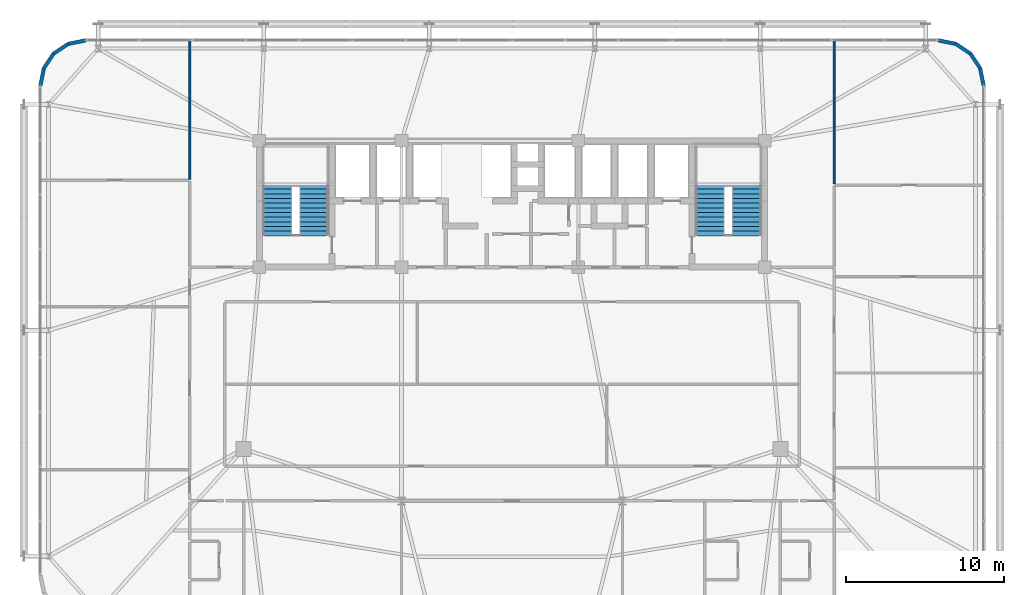
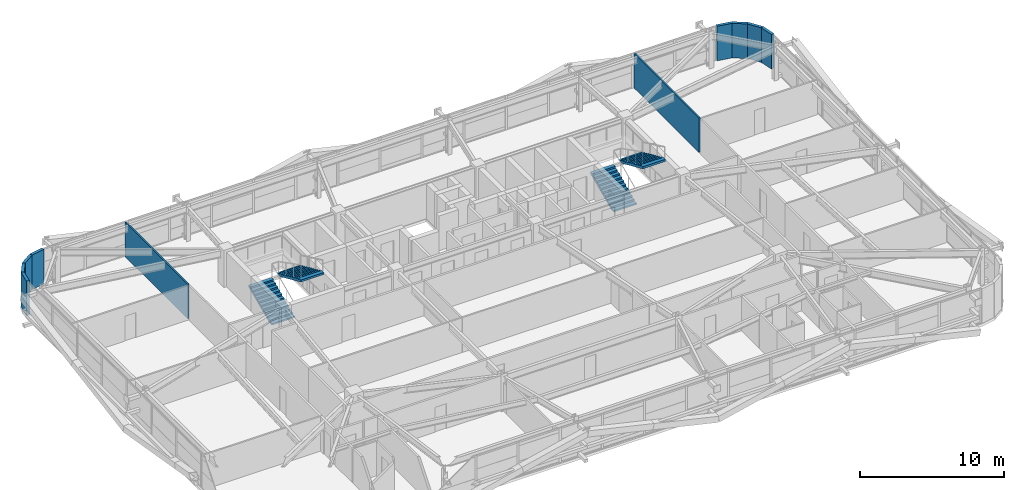
# One storey, part 56 of 59: 10 walls, 4 stair flights, 2 elements without a shape of their own.
"""IFC4 building model written with IfcOpenShell, lengths in metres."""

from ifc_helpers import new_model, si_unit, direction, frame, frame_2d, origin, place, context, subcontext, project, spatial, polyline, rectangle, outline, extrude, source, transform, mapped, material, layer, layer_set, type_object, element, aggregate, save


model = new_model("IFC4")

# Units and contexts
model_context = context("Model", 3, precision=1e-05, world=origin(), true_north=direction((0.0, 1.0)))
body_context = subcontext(model_context, "Body", "Model", "MODEL_VIEW")
ifc_project = project(units=[si_unit("LENGTHUNIT", "METRE"), si_unit("AREAUNIT", "SQUARE_METRE"), si_unit("VOLUMEUNIT", "CUBIC_METRE"), si_unit("PLANEANGLEUNIT", "RADIAN"), si_unit("MASSUNIT", "GRAM", prefix="KILO")], contexts=[model_context])

# Site, building, storey
site_placement = place(None, origin())
site = spatial("IfcSite", under=ifc_project, at=site_placement, CompositionType="ELEMENT")
building_placement = place(site_placement, origin())
building = spatial("IfcBuilding", under=site, at=building_placement, Name="Taldren Reach Tower", CompositionType="ELEMENT")
storey_placement = place(building_placement, frame((0.0, 0.0, 26.25)))
storey = spatial("IfcBuildingStorey", under=building, at=storey_placement, Name="L07", CompositionType="ELEMENT", Elevation=26.25)

# Walls
ifc_material_1 = material(Name="Pale Champagne Anodised Aluminium Cladding", Category="aluminium")
ifc_layer_1 = layer(ifc_material_1, 0.04, Name="Pale Champagne Anodised Aluminium Cladding", Category="aluminium")
ifc_material_2 = material(Name="Mineral Wool Acoustic Insulation", Category="insulation")
ifc_layer_2 = layer(ifc_material_2, 0.06, Name="Mineral Wool Acoustic Insulation", Category="insulation")
ifc_material_3 = material(Name="Steel Gr 350 (C350L0)", Category="steel")
ifc_layer_3 = layer(ifc_material_3, 0.12, Name="Steel Gr 350 (C350L0)", Category="steel")
ifc_layer_set_1 = layer_set([ifc_layer_1, ifc_layer_2, ifc_layer_3], Name="Pale Champagne Aluminium Cladding and Steel Gr 350 Stud Framing")
wall_type_1 = type_object("IfcWallType", Name="EW-CRN-220", PredefinedType="SOLIDWALL", material=ifc_layer_set_1)
shared_shape_1 = source(origin(), body_context, "Body", "SweptSolid", [
    extrude(rectangle(XDim=1.115966796875, YDim=0.219970703125, at=frame_2d((0.55810546875, 0.0))), origin(), (0.0, 0.0, 1.0), 2.929931640625),
])
for number, where, z_axis, x_axis, name in (
    (1, (64.860107421875, 35.5, 0.0), (0.0, 0.0, 1.0), (-0.195148375659, 0.98077373103, 0.0), "Rounded-corner pale-metal facade wall L07-NE1"),
    (2, (64.642333984375, 36.594482421875, 0.0), (0.0, 0.0, 1.0), (-0.555709556774, 0.83137650226, 0.0), "Rounded-corner pale-metal facade wall L07-NE2"),
    (3, (64.022216796875, 37.522216796875, 0.0), (0.0, 0.0, 1.0), (-0.83137650226, 0.555709556774, 0.0), "Rounded-corner pale-metal facade wall L07-NE3"),
    (4, (63.094482421875, 38.142333984375, 0.0), (0.0, 0.0, 1.0), (-0.98077373103, 0.195148375659, 0.0), "Rounded-corner pale-metal facade wall L07-NE4"),
    (5, (8.0, 38.360107421875, 0.0), (0.0, 0.0, 1.0), (-0.98077373103, -0.195148375659, 0.0), "Rounded-corner pale-metal facade wall L07-NW1"),
    (6, (6.905517578125, 38.142333984375, 0.0), (0.0, 0.0, 1.0), (-0.83137650226, -0.555709556774, 0.0), "Rounded-corner pale-metal facade wall L07-NW2"),
    (7, (5.977783203125, 37.522216796875, 0.0), (0.0, 0.0, 1.0), (-0.555709556774, -0.83137650226, 0.0), "Rounded-corner pale-metal facade wall L07-NW3"),
    (8, (5.357666015625, 36.594482421875, 0.0), (0.0, 0.0, 1.0), (-0.195148375659, -0.98077373103, 0.0), "Rounded-corner pale-metal facade wall L07-NW4"),
):
    element("IfcWall", number, at=place(storey_placement, frame(where, z_axis=z_axis, x_axis=x_axis)), inside=storey, type_object=wall_type_1, Name=name, PredefinedType="SOLIDWALL", context=body_context, shape_type="MappedRepresentation", body=[
        mapped(shared_shape_1, transform((0.0, 0.0, 0.0), scale=1.0)),
    ])
ifc_material_4 = material(Name="Insulated Residential Stud Partition", Category="gypsum")
ifc_layer_4 = layer(ifc_material_4, 0.1201171875)
ifc_layer_set_2 = layer_set([ifc_layer_4], Name="Insulated Residential Stud Partition")
wall_type_2 = type_object("IfcWallType", Name="IW-PART-120", PredefinedType="PARTITIONING", material=ifc_layer_set_2)
shared_shape_2 = source(origin(), body_context, "Body", "SweptSolid", [
    extrude(rectangle(XDim=8.68994140625, YDim=0.1201171875, at=frame_2d((4.344970703125, 0.0))), origin(), (0.0, 0.0, 1.0), 2.929931640625),
])
wall_1_placement = place(storey_placement, frame((14.60009765625, 38.27001953125, 0.0), z_axis=(0.0, 0.0, 1.0), x_axis=(0.0, -1.0, 0.0)))
element("IfcWall", 9, at=wall_1_placement, inside=storey, type_object=wall_type_2, Name="Interior Partition Wall W-INT-L07-116", PredefinedType="PARTITIONING", context=body_context, shape_type="MappedRepresentation", body=[
    mapped(shared_shape_2, transform((0.0, 0.0, 0.0), scale=1.0)),
])
shared_shape_3 = source(origin(), body_context, "Body", "SweptSolid", [
    extrude(rectangle(XDim=8.989990234375, YDim=0.1201171875, at=frame_2d((4.4951171875, 0.0))), origin(), (0.0, 0.0, 1.0), 2.929931640625),
])
wall_2_placement = place(storey_placement, frame((55.39990234375, 29.280029296875, 0.0), z_axis=(0.0, 0.0, 1.0), x_axis=(0.0, 1.0, 0.0)))
element("IfcWall", 10, at=wall_2_placement, inside=storey, type_object=wall_type_2, Name="Interior Partition Wall W-INT-L07-122", PredefinedType="PARTITIONING", context=body_context, shape_type="MappedRepresentation", body=[
    mapped(shared_shape_3, transform((0.0, 0.0, 0.0), scale=1.0)),
])

# Stair, stair flights
ifc_material_5 = material(Name="Concrete S50 (50 MPa)", Category="concrete")
stair_type = type_object("IfcStairType", Name="ST-HT-315", PredefinedType="HALF_TURN_STAIR", material=ifc_material_5)
stair_1_placement = place(storey_placement, origin())
stair_1 = element("IfcStair", 11, at=stair_1_placement, inside=storey, type_object=stair_type, Name="Fire-isolated exit stair ST1 L07", PredefinedType="HALF_TURN_STAIR")
stair_flight_type = type_object("IfcStairFlightType", Name="SF-STR-315", PredefinedType="STRAIGHT", material=ifc_material_5)
stair_flight_1_placement = place(storey_placement, frame((20.139892578125, 25.989990234375, 0.0), z_axis=(0.0, 0.0, 1.0), x_axis=(0.0, 1.0, 0.0)))
stair_flight_1 = element("IfcStairFlight", 12, at=stair_flight_1_placement, type_object=stair_flight_type, Name="ST1 flight 1", NumberOfRisers=12, NumberOfTreads=11, PredefinedType="STRAIGHT", RiserHeight=0.13125, TreadLength=0.295, context=body_context, shape_type="SweptSolid", body=[
    extrude(outline(polyline([(0.0, 0.0), (0.0, 0.13134765625), (0.294921875, 0.13134765625), (0.294921875, 0.262451171875), (0.590087890625, 0.262451171875), (0.590087890625, 0.393798828125), (0.885009765625, 0.393798828125), (0.885009765625, 0.52490234375), (1.179931640625, 0.52490234375), (1.179931640625, 0.65625), (1.47509765625, 0.65625), (1.47509765625, 0.78759765625), (1.77001953125, 0.78759765625), (1.77001953125, 0.918701171875), (2.06494140625, 0.918701171875), (2.06494140625, 1.050048828125), (2.360107421875, 1.050048828125), (2.360107421875, 1.18115234375), (2.655029296875, 1.18115234375), (2.655029296875, 1.3125), (2.949951171875, 1.3125), (2.949951171875, 1.44384765625), (3.2451171875, 1.44384765625), (3.2451171875, 1.574951171875), (3.2451171875, 1.268798828125), (0.393310546875, 0.0), (0.0, 0.0)])), frame((0.0, 0.919921875, 0.0), z_axis=(0.0, -1.0, 0.0), x_axis=(1.0, 0.0, 0.0)), (0.0, 0.0, 1.0), 1.840087890625),
])
stair_flight_2_placement = place(storey_placement, frame((22.4599609375, 29.235107421875, 1.574951171875), z_axis=(0.0, 0.0, 1.0), x_axis=(0.0, -1.0, 0.0)))
stair_flight_2 = element("IfcStairFlight", 13, at=stair_flight_2_placement, type_object=stair_flight_type, Name="ST1 flight 2", NumberOfRisers=12, NumberOfTreads=11, PredefinedType="STRAIGHT", RiserHeight=0.13125, TreadLength=0.295, context=body_context, shape_type="SweptSolid", body=[
    extrude(outline(polyline([(0.0, 0.0), (0.0, 0.13134765625), (0.294921875, 0.13134765625), (0.294921875, 0.262451171875), (0.590087890625, 0.262451171875), (0.590087890625, 0.393798828125), (0.885009765625, 0.393798828125), (0.885009765625, 0.52490234375), (1.179931640625, 0.52490234375), (1.179931640625, 0.65625), (1.47509765625, 0.65625), (1.47509765625, 0.78759765625), (1.77001953125, 0.78759765625), (1.77001953125, 0.918701171875), (2.06494140625, 0.918701171875), (2.06494140625, 1.050048828125), (2.360107421875, 1.050048828125), (2.360107421875, 1.18115234375), (2.655029296875, 1.18115234375), (2.655029296875, 1.3125), (2.949951171875, 1.3125), (2.949951171875, 1.44384765625), (3.2451171875, 1.44384765625), (3.2451171875, 1.574951171875), (3.2451171875, 1.268798828125), (0.393310546875, 0.0), (0.0, 0.0)])), frame((0.0, 0.919921875, 0.0), z_axis=(0.0, -1.0, 0.0), x_axis=(1.0, 0.0, 0.0)), (0.0, 0.0, 1.0), 1.840087890625),
])
aggregate(stair_1, [stair_flight_1, stair_flight_2])

stair_2_placement = place(storey_placement, origin())
stair_2 = element("IfcStair", 14, at=stair_2_placement, inside=storey, type_object=stair_type, Name="Fire-isolated exit stair ST2 L07", PredefinedType="HALF_TURN_STAIR")
stair_flight_3_placement = place(storey_placement, frame((47.5400390625, 25.989990234375, 0.0), z_axis=(0.0, 0.0, 1.0), x_axis=(0.0, 1.0, 0.0)))
stair_flight_3 = element("IfcStairFlight", 15, at=stair_flight_3_placement, type_object=stair_flight_type, Name="ST2 flight 1", NumberOfRisers=12, NumberOfTreads=11, PredefinedType="STRAIGHT", RiserHeight=0.13125, TreadLength=0.295, context=body_context, shape_type="SweptSolid", body=[
    extrude(outline(polyline([(0.0, 0.0), (0.0, 0.13134765625), (0.294921875, 0.13134765625), (0.294921875, 0.262451171875), (0.590087890625, 0.262451171875), (0.590087890625, 0.393798828125), (0.885009765625, 0.393798828125), (0.885009765625, 0.52490234375), (1.179931640625, 0.52490234375), (1.179931640625, 0.65625), (1.47509765625, 0.65625), (1.47509765625, 0.78759765625), (1.77001953125, 0.78759765625), (1.77001953125, 0.918701171875), (2.06494140625, 0.918701171875), (2.06494140625, 1.050048828125), (2.360107421875, 1.050048828125), (2.360107421875, 1.18115234375), (2.655029296875, 1.18115234375), (2.655029296875, 1.3125), (2.949951171875, 1.3125), (2.949951171875, 1.44384765625), (3.2451171875, 1.44384765625), (3.2451171875, 1.574951171875), (3.2451171875, 1.268798828125), (0.393310546875, 0.0), (0.0, 0.0)])), frame((0.0, 0.919921875, 0.0), z_axis=(0.0, -1.0, 0.0), x_axis=(1.0, 0.0, 0.0)), (0.0, 0.0, 1.0), 1.840087890625),
])
stair_flight_4_placement = place(storey_placement, frame((49.860107421875, 29.235107421875, 1.574951171875), z_axis=(0.0, 0.0, 1.0), x_axis=(0.0, -1.0, 0.0)))
stair_flight_4 = element("IfcStairFlight", 16, at=stair_flight_4_placement, type_object=stair_flight_type, Name="ST2 flight 2", NumberOfRisers=12, NumberOfTreads=11, PredefinedType="STRAIGHT", RiserHeight=0.13125, TreadLength=0.295, context=body_context, shape_type="SweptSolid", body=[
    extrude(outline(polyline([(0.0, 0.0), (0.0, 0.13134765625), (0.294921875, 0.13134765625), (0.294921875, 0.262451171875), (0.590087890625, 0.262451171875), (0.590087890625, 0.393798828125), (0.885009765625, 0.393798828125), (0.885009765625, 0.52490234375), (1.179931640625, 0.52490234375), (1.179931640625, 0.65625), (1.47509765625, 0.65625), (1.47509765625, 0.78759765625), (1.77001953125, 0.78759765625), (1.77001953125, 0.918701171875), (2.06494140625, 0.918701171875), (2.06494140625, 1.050048828125), (2.360107421875, 1.050048828125), (2.360107421875, 1.18115234375), (2.655029296875, 1.18115234375), (2.655029296875, 1.3125), (2.949951171875, 1.3125), (2.949951171875, 1.44384765625), (3.2451171875, 1.44384765625), (3.2451171875, 1.574951171875), (3.2451171875, 1.268798828125), (0.393310546875, 0.0), (0.0, 0.0)])), frame((0.0, 0.919921875, 0.0), z_axis=(0.0, -1.0, 0.0), x_axis=(1.0, 0.0, 0.0)), (0.0, 0.0, 1.0), 1.840087890625),
])
aggregate(stair_2, [stair_flight_3, stair_flight_4])

save(model, "model.ifc")
